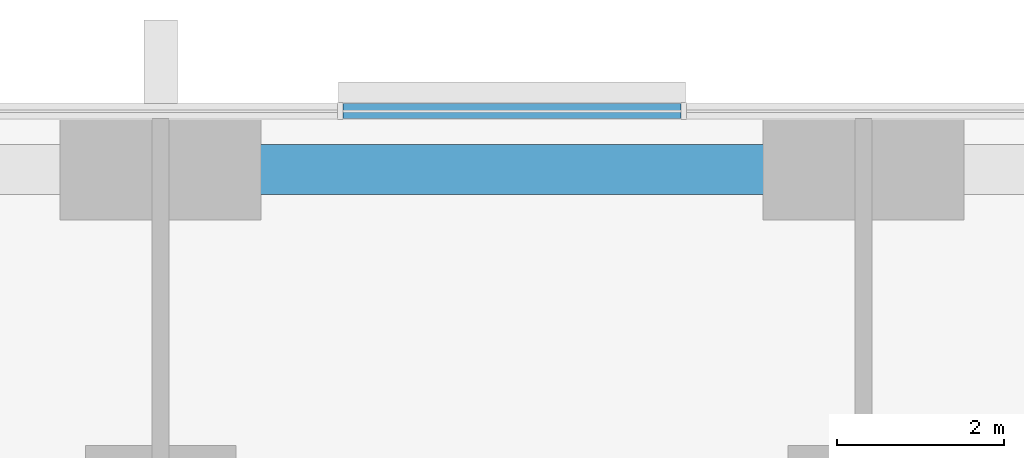
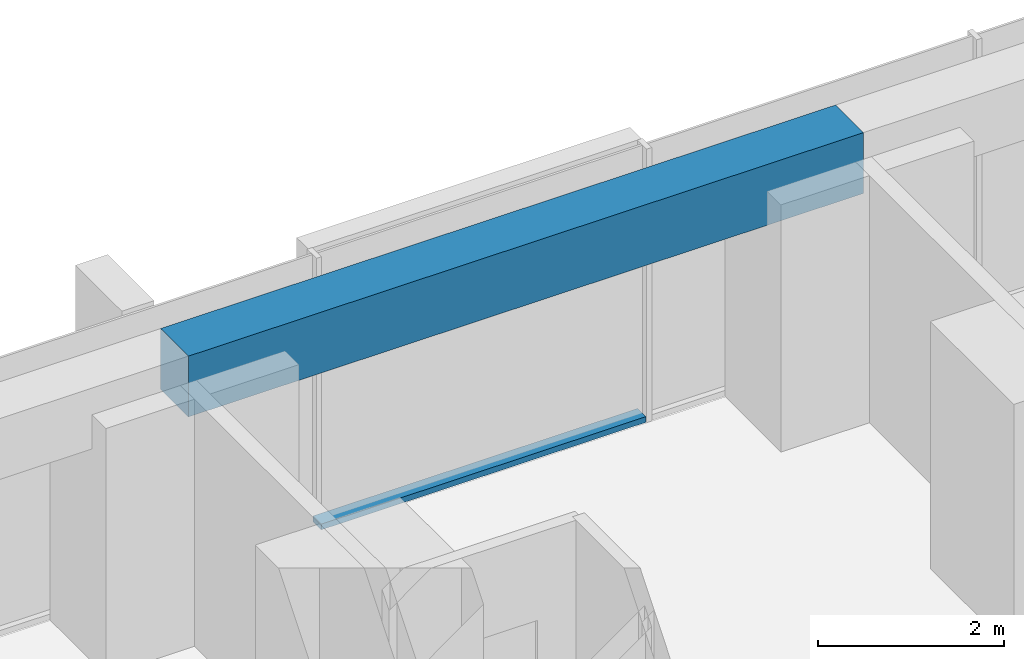
# One storey, part 7 of 17: 1 beam, 1 member, 1 element without a shape of its own.
"""IFC4 building model written with IfcOpenShell, lengths in metres."""

from ifc_helpers import new_model, si_unit, direction, frame, origin, origin_2d, place, context, subcontext, project, spatial, rectangle, extrude, material, material_profile, profile_set, type_object, element, aggregate, save


model = new_model("IFC4")

# Units and contexts
model_context = context("Model", 3, precision=1e-05, world=origin(), true_north=direction((0.0, 1.0)))
body_context = subcontext(model_context, "Body", "Model", "MODEL_VIEW")
ifc_project = project(units=[si_unit("LENGTHUNIT", "METRE"), si_unit("AREAUNIT", "SQUARE_METRE"), si_unit("VOLUMEUNIT", "CUBIC_METRE"), si_unit("PLANEANGLEUNIT", "RADIAN"), si_unit("MASSUNIT", "GRAM", prefix="KILO")], contexts=[model_context])

# Site, building, storey
site_placement = place(None, origin())
site = spatial("IfcSite", under=ifc_project, at=site_placement, CompositionType="ELEMENT")
building_placement = place(site_placement, origin())
building = spatial("IfcBuilding", under=site, at=building_placement, Name="Dunama Terrace Hotel", CompositionType="ELEMENT")
storey_placement = place(building_placement, frame((0.0, 0.0, 55.800048828125)))
storey = spatial("IfcBuildingStorey", under=building, at=storey_placement, Name="L13", CompositionType="ELEMENT", Elevation=55.800048828125)

# Curtain wall, member
ifc_material_1 = material(Name="Aluminium curtain wall system", Category="aluminium")
curtain_wall_type = type_object("IfcCurtainWallType", Name="Unitised fritted glass wall CW-A", PredefinedType="NOTDEFINED", material=ifc_material_1)
curtain_wall_placement = place(storey_placement, origin())
curtain_wall = element("IfcCurtainWall", 1, at=curtain_wall_placement, inside=storey, type_object=curtain_wall_type, Name="Unitised fritted glass wall CW-A L13", PredefinedType="NOTDEFINED")
ifc_material_2 = material(Name="Aluminium transom", Category="aluminium")
ifc_material_profile_1 = material_profile(ifc_material_2, rectangle(XDim=0.179931640625, YDim=0.074951171875, at=origin_2d()), Name="CWA TRANSOM 180X75")
ifc_profile_set_1 = profile_set([ifc_material_profile_1], Name="Aluminium transom")
member_type = type_object("IfcMemberType", Name="CWA transom 180x75", PredefinedType="USERDEFINED", material=ifc_profile_set_1)
member_placement = place(storey_placement, frame((31.4208984375, 58.89990234375, 0.037353515625), z_axis=(-1.0, 0.0, 0.0), x_axis=(0.0, -1.0, 0.0)))
member = element("IfcMember", 2, at=member_placement, type_object=member_type, Name="CWA transom", ObjectType="TRANSOM", PredefinedType="USERDEFINED", context=body_context, shape_type="SweptSolid", body=[
    extrude(rectangle(XDim=0.179931640625, YDim=0.074951171875, at=origin_2d()), origin(), (0.0, 0.0, 1.0), 4.0419921875),
])
aggregate(curtain_wall, [member])

# Beam
ifc_material_3 = material(Name="Concrete C40/50", Category="concrete")
ifc_material_profile_2 = material_profile(ifc_material_3, rectangle(XDim=0.60009765625, YDim=0.800048828125, at=origin_2d()), Name="RC 600x800")
ifc_profile_set_2 = profile_set([ifc_material_profile_2], Name="Concrete C40/50")
beam_type = type_object("IfcBeamType", Name="Edge beam RC 600x800", PredefinedType="SPANDREL", material=ifc_profile_set_2)
beam_placement = place(storey_placement, frame((25.199951171875, 58.199951171875, 3.199951171875), z_axis=(1.0, 0.0, 0.0), x_axis=(0.0, 1.0, 0.0)))
element("IfcBeam", 3, at=beam_placement, inside=storey, type_object=beam_type, Name="Edge beam under L14", PredefinedType="SPANDREL", context=body_context, shape_type="SweptSolid", body=[
    extrude(rectangle(XDim=0.60009765625, YDim=0.800048828125, at=origin_2d()), origin(), (0.0, 0.0, 1.0), 8.400146484375),
])

save(model, "model.ifc")
